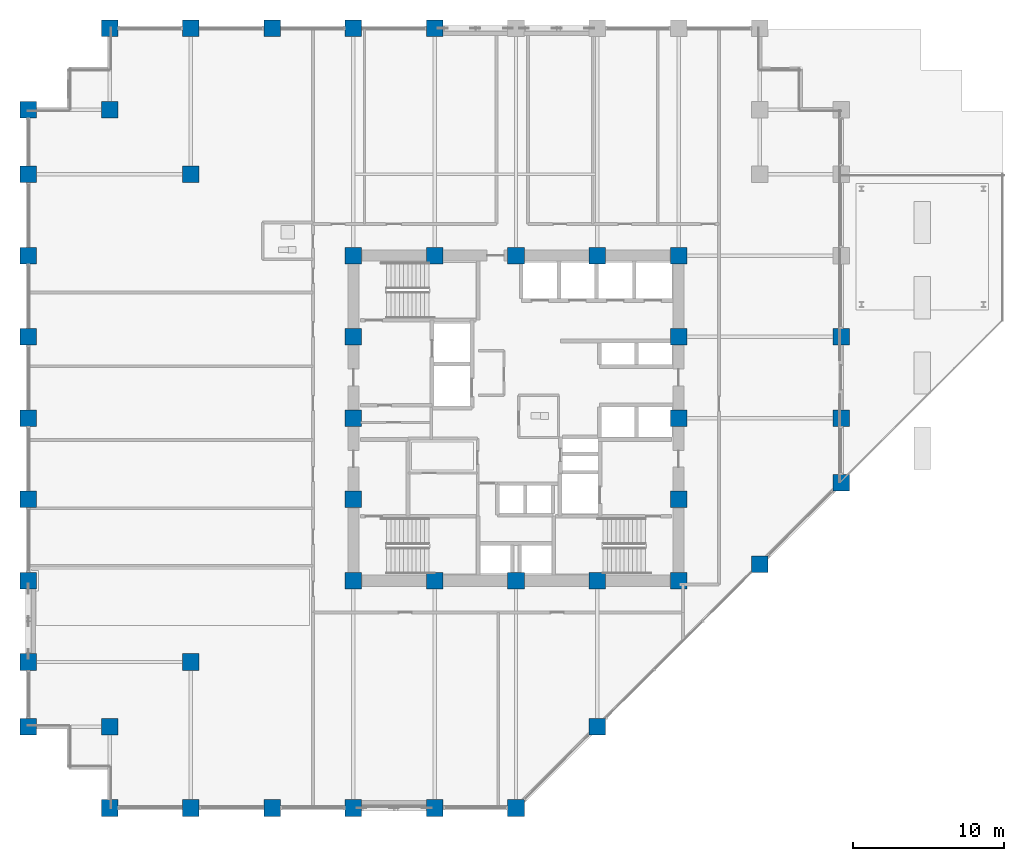
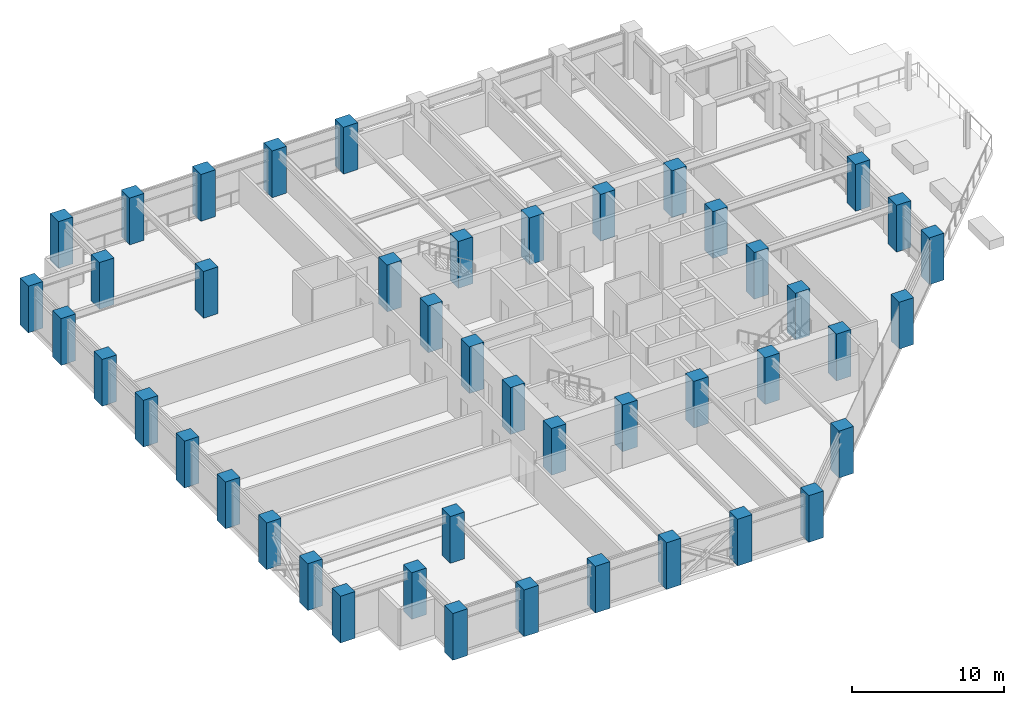
# One storey, part 1 of 30: 45 columns.
"""IFC4 building model written with IfcOpenShell, lengths in metres."""

from ifc_helpers import new_model, si_unit, direction, frame, origin, origin_2d, place, context, subcontext, project, spatial, rectangle, extrude, material, material_profile, profile_set, type_object, element, save


model = new_model("IFC4")

# Units and contexts
model_context = context("Model", 3, precision=1e-05, world=origin(), true_north=direction((0.0, 1.0)))
body_context = subcontext(model_context, "Body", "Model", "MODEL_VIEW")
ifc_project = project(units=[si_unit("LENGTHUNIT", "METRE"), si_unit("AREAUNIT", "SQUARE_METRE"), si_unit("VOLUMEUNIT", "CUBIC_METRE"), si_unit("PLANEANGLEUNIT", "RADIAN"), si_unit("MASSUNIT", "GRAM", prefix="KILO")], contexts=[model_context])

# Site, building, storey
site_placement = place(None, origin())
site = spatial("IfcSite", under=ifc_project, at=site_placement, CompositionType="ELEMENT")
building_placement = place(site_placement, origin())
building = spatial("IfcBuilding", under=site, at=building_placement, Name="Surkhivell Harbour Commons", CompositionType="ELEMENT")
storey_placement = place(building_placement, frame((0.0, 0.0, 83.25)))
storey = spatial("IfcBuildingStorey", under=building, at=storey_placement, Name="L21", CompositionType="ELEMENT", Elevation=83.25)

# Columns
ifc_material = material(Name="Concrete C60/75", Category="concrete")
ifc_material_profile = material_profile(ifc_material, rectangle(XDim=1.10009765625, YDim=1.10009765625, at=origin_2d()), Name="RC-COL-1100x1100")
ifc_profile_set = profile_set([ifc_material_profile], Name="Concrete C60/75")
column_type = type_object("IfcColumnType", Name="COL-TUBE-Z2A", PredefinedType="COLUMN", material=ifc_profile_set)
for number, where, z_axis, x_axis, name in (
    (1, (-32.39990234375, -20.5, 0.0), (0.0, 0.0, 1.0), (1.0, 0.0, 0.0), "L21 Column CT-2A (-32.4,-20.5)"),
    (2, (-32.39990234375, -16.199951171875, 0.0), (0.0, 0.0, 1.0), (1.0, 0.0, 0.0), "L21 Column CT-2A (-32.4,-16.2)"),
    (3, (-32.39990234375, -10.800048828125, 0.0), (0.0, 0.0, 1.0), (1.0, 0.0, 0.0), "L21 Column CT-2A (-32.4,-10.8)"),
    (4, (-32.39990234375, -5.39990234375, 0.0), (0.0, 0.0, 1.0), (1.0, 0.0, 0.0), "L21 Column CT-2A (-32.4,-5.4)"),
    (5, (-32.39990234375, 0.0, 0.0), (0.0, 0.0, 1.0), (1.0, 0.0, 0.0), "L21 Column CT-2A (-32.4,0.0)"),
    (6, (-32.39990234375, 5.39990234375, 0.0), (0.0, 0.0, 1.0), (1.0, 0.0, 0.0), "L21 Column CT-2A (-32.4,5.4)"),
    (7, (-32.39990234375, 10.800048828125, 0.0), (0.0, 0.0, 1.0), (1.0, 0.0, 0.0), "L21 Column CT-2A (-32.4,10.8)"),
    (8, (-32.39990234375, 16.199951171875, 0.0), (0.0, 0.0, 1.0), (1.0, 0.0, 0.0), "L21 Column CT-2A (-32.4,16.2)"),
    (9, (-32.39990234375, 20.5, 0.0), (0.0, 0.0, 1.0), (1.0, 0.0, 0.0), "L21 Column CT-2A (-32.4,20.5)"),
    (10, (-27.0, -25.89990234375, 0.0), (0.0, 0.0, 1.0), (1.0, 0.0, 0.0), "L21 Column CT-2A (-27.0,-25.9)"),
    (11, (-27.0, -20.5, 0.0), (0.0, 0.0, 1.0), (1.0, 0.0, 0.0), "L21 Column CT-2A (-27.0,-20.5)"),
    (12, (-27.0, 20.5, 0.0), (0.0, 0.0, 1.0), (1.0, 0.0, 0.0), "L21 Column CT-2A (-27.0,20.5)"),
    (13, (-27.0, 25.89990234375, 0.0), (0.0, 0.0, 1.0), (1.0, 0.0, 0.0), "L21 Column CT-2A (-27.0,25.9)"),
    (14, (-21.60009765625, -25.89990234375, 0.0), (0.0, 0.0, 1.0), (1.0, 0.0, 0.0), "L21 Column CT-2A (-21.6,-25.9)"),
    (15, (-21.60009765625, -16.199951171875, 0.0), (0.0, 0.0, 1.0), (1.0, 0.0, 0.0), "L21 Column CT-2A (-21.6,-16.2)"),
    (16, (-21.60009765625, 16.199951171875, 0.0), (0.0, 0.0, 1.0), (1.0, 0.0, 0.0), "L21 Column CT-2A (-21.6,16.2)"),
    (17, (-21.60009765625, 25.89990234375, 0.0), (0.0, 0.0, 1.0), (1.0, 0.0, 0.0), "L21 Column CT-2A (-21.6,25.9)"),
    (18, (-16.199951171875, -25.89990234375, 0.0), (0.0, 0.0, 1.0), (1.0, 0.0, 0.0), "L21 Column CT-2A (-16.2,-25.9)"),
    (19, (-16.199951171875, 25.89990234375, 0.0), (0.0, 0.0, 1.0), (1.0, 0.0, 0.0), "L21 Column CT-2A (-16.2,25.9)"),
    (20, (-10.800048828125, -25.89990234375, 0.0), (0.0, 0.0, 1.0), (1.0, 0.0, 0.0), "L21 Column CT-2A (-10.8,-25.9)"),
    (21, (-10.800048828125, -10.800048828125, 0.0), (0.0, 0.0, 1.0), (1.0, 0.0, 0.0), "L21 Column CT-2A (-10.8,-10.8)"),
    (22, (-10.800048828125, -5.39990234375, 0.0), (0.0, 0.0, 1.0), (1.0, 0.0, 0.0), "L21 Column CT-2A (-10.8,-5.4)"),
    (23, (-10.800048828125, 0.0, 0.0), (0.0, 0.0, 1.0), (1.0, 0.0, 0.0), "L21 Column CT-2A (-10.8,0.0)"),
    (24, (-10.800048828125, 5.39990234375, 0.0), (0.0, 0.0, 1.0), (1.0, 0.0, 0.0), "L21 Column CT-2A (-10.8,5.4)"),
    (25, (-10.800048828125, 10.800048828125, 0.0), (0.0, 0.0, 1.0), (1.0, 0.0, 0.0), "L21 Column CT-2A (-10.8,10.8)"),
    (26, (-10.800048828125, 25.89990234375, 0.0), (0.0, 0.0, 1.0), (1.0, 0.0, 0.0), "L21 Column CT-2A (-10.8,25.9)"),
    (27, (-5.39990234375, -25.89990234375, 0.0), (0.0, 0.0, 1.0), (1.0, 0.0, 0.0), "L21 Column CT-2A (-5.4,-25.9)"),
    (28, (-5.39990234375, -10.800048828125, 0.0), (0.0, 0.0, 1.0), (1.0, 0.0, 0.0), "L21 Column CT-2A (-5.4,-10.8)"),
    (29, (-5.39990234375, 10.800048828125, 0.0), (0.0, 0.0, 1.0), (1.0, 0.0, 0.0), "L21 Column CT-2A (-5.4,10.8)"),
    (30, (-5.39990234375, 25.89990234375, 0.0), (0.0, 0.0, 1.0), (1.0, 0.0, 0.0), "L21 Column CT-2A (-5.4,25.9)"),
    (31, (0.0, -25.89990234375, 0.0), (0.0, 0.0, 1.0), (1.0, 0.0, 0.0), "L21 Column CT-2A (-0.0,-25.9)"),
    (32, (0.0, -10.800048828125, 0.0), (0.0, 0.0, 1.0), (1.0, 0.0, 0.0), "L21 Column CT-2A (0.0,-10.8)"),
    (33, (0.0, 10.800048828125, 0.0), (0.0, 0.0, 1.0), (1.0, 0.0, 0.0), "L21 Column CT-2A (0.0,10.8)"),
    (34, (5.39990234375, -20.5, 0.0), (0.0, 0.0, 1.0), (1.0, 0.0, 0.0), "L21 Column CT-2A (5.4,-20.5)"),
    (35, (5.39990234375, -10.800048828125, 0.0), (0.0, 0.0, 1.0), (1.0, 0.0, 0.0), "L21 Column CT-2A (5.4,-10.8)"),
    (36, (5.39990234375, 10.800048828125, 0.0), (0.0, 0.0, 1.0), (1.0, 0.0, 0.0), "L21 Column CT-2A (5.4,10.8)"),
    (37, (10.800048828125, -10.800048828125, 0.0), (0.0, 0.0, 1.0), (1.0, 0.0, 0.0), "L21 Column CT-2A (10.8,-10.8)"),
    (38, (10.800048828125, -5.39990234375, 0.0), (0.0, 0.0, 1.0), (1.0, 0.0, 0.0), "L21 Column CT-2A (10.8,-5.4)"),
    (39, (10.800048828125, 0.0, 0.0), (0.0, 0.0, 1.0), (1.0, 0.0, 0.0), "L21 Column CT-2A (10.8,0.0)"),
    (40, (10.800048828125, 5.39990234375, 0.0), (0.0, 0.0, 1.0), (1.0, 0.0, 0.0), "L21 Column CT-2A (10.8,5.4)"),
    (41, (10.800048828125, 10.800048828125, 0.0), (0.0, 0.0, 1.0), (1.0, 0.0, 0.0), "L21 Column CT-2A (10.8,10.8)"),
    (42, (16.199951171875, -9.699951171875, 0.0), (0.0, 0.0, 1.0), (1.0, 0.0, 0.0), "L21 Column CT-2A (16.2,-9.7)"),
    (43, (21.60009765625, -4.300048828125, 0.0), (0.0, 0.0, 1.0), (1.0, 0.0, 0.0), "L21 Column CT-2A (21.6,-4.3)"),
    (44, (21.60009765625, 0.0, 0.0), (0.0, 0.0, 1.0), (1.0, 0.0, 0.0), "L21 Column CT-2A (21.6,0.0)"),
    (45, (21.60009765625, 5.39990234375, 0.0), (0.0, 0.0, 1.0), (1.0, 0.0, 0.0), "L21 Column CT-2A (21.6,5.4)"),
):
    element("IfcColumn", number, at=place(storey_placement, frame(where, z_axis=z_axis, x_axis=x_axis)), inside=storey, type_object=column_type, Name=name, PredefinedType="COLUMN", context=body_context, shape_type="SweptSolid", body=[
        extrude(rectangle(XDim=1.10009765625, YDim=1.10009765625, at=origin_2d()), origin(), (0.0, 0.0, 1.0), 3.75),
    ])

save(model, "model.ifc")
